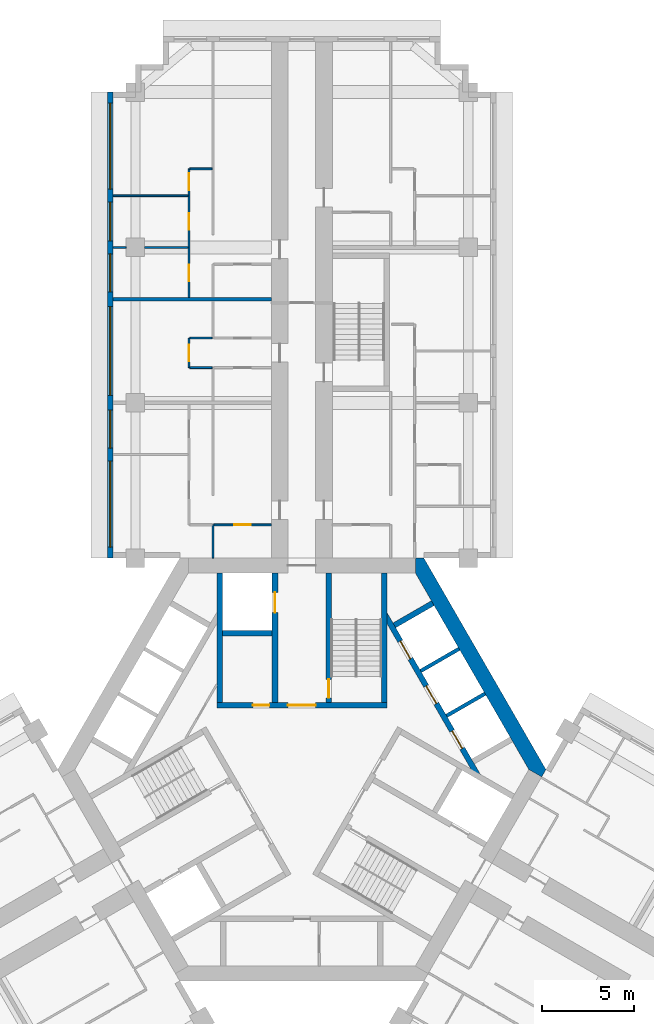
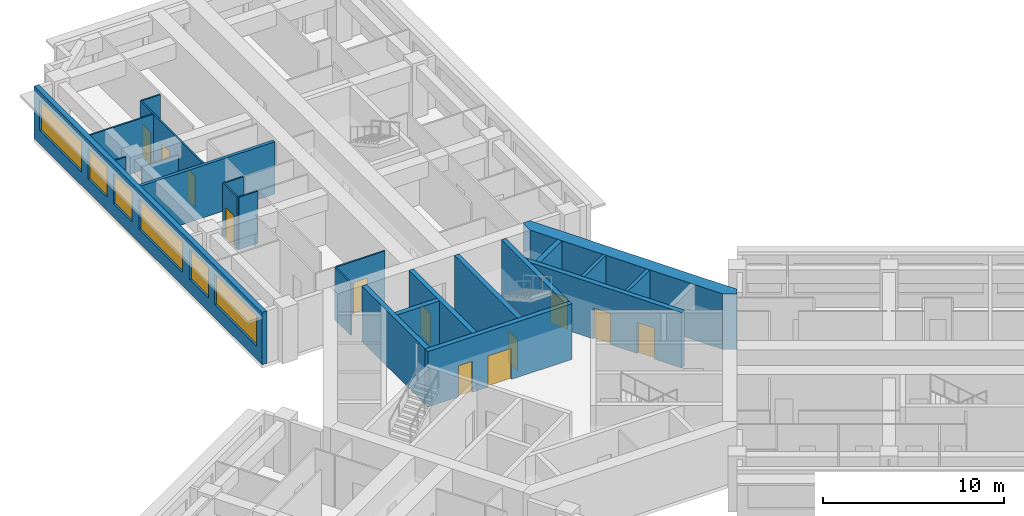
# One storey, part 8 of 14: 23 walls, 12 doors, 6 windows, 18 openings.
"""IFC4 building model written with IfcOpenShell, lengths in metres."""

from ifc_helpers import new_model, si_unit, direction, frame, frame_2d, origin, place, context, subcontext, project, spatial, polyline, rectangle, outline, extrude, material, layer, layer_set, type_object, element, fill, save


model = new_model("IFC4")

# Units and contexts
model_context = context("Model", 3, precision=1e-05, world=origin(), true_north=direction((0.0, 1.0)))
body_context = subcontext(model_context, "Body", "Model", "MODEL_VIEW")
ifc_project = project(units=[si_unit("LENGTHUNIT", "METRE"), si_unit("AREAUNIT", "SQUARE_METRE"), si_unit("VOLUMEUNIT", "CUBIC_METRE"), si_unit("PLANEANGLEUNIT", "RADIAN"), si_unit("MASSUNIT", "GRAM", prefix="KILO")], contexts=[model_context])

# Site, building, storey
site_placement = place(None, origin())
site = spatial("IfcSite", under=ifc_project, at=site_placement, CompositionType="ELEMENT")
building_placement = place(site_placement, origin())
building = spatial("IfcBuilding", under=site, at=building_placement, Name="Impinga Residences", CompositionType="ELEMENT")
storey_placement = place(building_placement, frame((0.0, 0.0, 143.5)))
storey = spatial("IfcBuildingStorey", under=building, at=storey_placement, Name="L35", CompositionType="ELEMENT", Elevation=143.5)

# Wall, openings, windows
ifc_material_1 = material(Name="Terracotta rainscreen on blockwork", Category="masonry")
ifc_layer_1 = layer(ifc_material_1, 0.300048828125)
ifc_layer_set_1 = layer_set([ifc_layer_1], Name="EW1 external wall, terracotta rainscreen on blockwork 300")
wall_type_1 = type_object("IfcWallType", Name="EW1 external wall, terracotta rainscreen on blockwork 300", PredefinedType="SOLIDWALL", material=ifc_layer_set_1)
wall_1_placement = place(storey_placement, frame((-10.35009765625, 11.431640625, 0.0), z_axis=(0.0, 0.0, 1.0), x_axis=(0.0, 1.0, 0.0)))
wall_1 = element("IfcWall", 1, at=wall_1_placement, inside=storey, type_object=wall_type_1, Name="External wall EW1 L35", PredefinedType="SOLIDWALL", context=body_context, shape_type="SweptSolid", body=[
    extrude(rectangle(XDim=25.199951171875, YDim=0.300048828125, at=frame_2d((12.60009765625, 0.0))), origin(), (0.0, 0.0, 1.0), 3.530029296875),
])
opening_1_placement = place(wall_1_placement, frame((0.60009765625, 0.0, 0.89990234375)))
opening_1 = element("IfcOpeningElement", 2, at=opening_1_placement, cuts=wall_1, Name="Opening W10", PredefinedType="OPENING", context=body_context, shape_type="SweptSolid", body=[
    extrude(rectangle(XDim=4.64990234375, YDim=2.050048828125, at=frame_2d((2.324951171875, 1.02490234375))), frame((0.0, 0.159912109375, 0.0), z_axis=(0.0, -1.0, 0.0), x_axis=(1.0, 0.0, 0.0)), (0.0, 0.0, 1.0), 0.320068359375),
])
opening_2_placement = place(wall_1_placement, frame((5.949951171875, 0.0, 0.89990234375)))
opening_2 = element("IfcOpeningElement", 3, at=opening_2_placement, cuts=wall_1, Name="Opening W14", PredefinedType="OPENING", context=body_context, shape_type="SweptSolid", body=[
    extrude(rectangle(XDim=2.050048828125, YDim=2.050048828125, at=frame_2d((1.02490234375, 1.02490234375))), frame((0.0, 0.159912109375, 0.0), z_axis=(0.0, -1.0, 0.0), x_axis=(1.0, 0.0, 0.0)), (0.0, 0.0, 1.0), 0.320068359375),
])
opening_3_placement = place(wall_1_placement, frame((8.800048828125, 0.0, 0.89990234375)))
opening_3 = element("IfcOpeningElement", 4, at=opening_3_placement, cuts=wall_1, Name="Opening W8", PredefinedType="OPENING", context=body_context, shape_type="SweptSolid", body=[
    extrude(rectangle(XDim=4.800048828125, YDim=2.050048828125, at=frame_2d((2.39990234375, 1.02490234375))), frame((0.0, 0.159912109375, 0.0), z_axis=(0.0, -1.0, 0.0), x_axis=(1.0, 0.0, 0.0)), (0.0, 0.0, 1.0), 0.320068359375),
])
opening_4_placement = place(wall_1_placement, frame((14.39990234375, 0.0, 0.89990234375)))
opening_4 = element("IfcOpeningElement", 5, at=opening_4_placement, cuts=wall_1, Name="Opening W14", PredefinedType="OPENING", context=body_context, shape_type="SweptSolid", body=[
    extrude(rectangle(XDim=2.050048828125, YDim=2.050048828125, at=frame_2d((1.02490234375, 1.02490234375))), frame((0.0, 0.159912109375, 0.0), z_axis=(0.0, -1.0, 0.0), x_axis=(1.0, 0.0, 0.0)), (0.0, 0.0, 1.0), 0.320068359375),
])
opening_5_placement = place(wall_1_placement, frame((17.14990234375, 0.0, 0.89990234375)))
opening_5 = element("IfcOpeningElement", 6, at=opening_5_placement, cuts=wall_1, Name="Opening W9", PredefinedType="OPENING", context=body_context, shape_type="SweptSolid", body=[
    extrude(rectangle(XDim=2.10009765625, YDim=2.050048828125, at=frame_2d((1.050048828125, 1.02490234375))), frame((0.0, 0.159912109375, 0.0), z_axis=(0.0, -1.0, 0.0), x_axis=(1.0, 0.0, 0.0)), (0.0, 0.0, 1.0), 0.320068359375),
])
opening_6_placement = place(wall_1_placement, frame((19.949951171875, 0.0, 0.89990234375)))
opening_6 = element("IfcOpeningElement", 7, at=opening_6_placement, cuts=wall_1, Name="Opening W10", PredefinedType="OPENING", context=body_context, shape_type="SweptSolid", body=[
    extrude(rectangle(XDim=4.64990234375, YDim=2.050048828125, at=frame_2d((2.324951171875, 1.02490234375))), frame((0.0, 0.159912109375, 0.0), z_axis=(0.0, -1.0, 0.0), x_axis=(1.0, 0.0, 0.0)), (0.0, 0.0, 1.0), 0.320068359375),
])
ifc_material_2 = material(Name="Aluminium window, clear double glazing", Category="aluminium")
window_type_1 = type_object("IfcWindowType", Name="W10 ribbon window 4650x2050", PartitioningType="SINGLE_PANEL", PredefinedType="WINDOW", material=ifc_material_2)
window_1_placement = place(opening_1_placement, origin())
window_1 = element("IfcWindow", 8, at=window_1_placement, inside=storey, type_object=window_type_1, Name="Window L35", OverallHeight=2.050048828125, OverallWidth=4.64990234375, PartitioningType="SINGLE_PANEL", PredefinedType="WINDOW", context=body_context, shape_type="SweptSolid", body=[
    extrude(rectangle(XDim=4.64990234375, YDim=2.050048828125, at=frame_2d((2.324951171875, 1.02490234375))), frame((0.0, 0.030029296875, 0.0), z_axis=(0.0, -1.0, 0.0), x_axis=(1.0, 0.0, 0.0)), (0.0, 0.0, 1.0), 0.06005859375),
])
fill(opening_1, window_1)
window_2_placement = place(opening_6_placement, origin())
window_2 = element("IfcWindow", 9, at=window_2_placement, inside=storey, type_object=window_type_1, Name="Window L35", OverallHeight=2.050048828125, OverallWidth=4.64990234375, PartitioningType="SINGLE_PANEL", PredefinedType="WINDOW", context=body_context, shape_type="SweptSolid", body=[
    extrude(rectangle(XDim=4.64990234375, YDim=2.050048828125, at=frame_2d((2.324951171875, 1.02490234375))), frame((0.0, 0.030029296875, 0.0), z_axis=(0.0, -1.0, 0.0), x_axis=(1.0, 0.0, 0.0)), (0.0, 0.0, 1.0), 0.06005859375),
])
fill(opening_6, window_2)
window_type_2 = type_object("IfcWindowType", Name="W14 ribbon window 2050x2050", PartitioningType="SINGLE_PANEL", PredefinedType="WINDOW", material=ifc_material_2)
window_3_placement = place(opening_2_placement, origin())
window_3 = element("IfcWindow", 10, at=window_3_placement, inside=storey, type_object=window_type_2, Name="Window L35", OverallHeight=2.050048828125, OverallWidth=2.050048828125, PartitioningType="SINGLE_PANEL", PredefinedType="WINDOW", context=body_context, shape_type="SweptSolid", body=[
    extrude(rectangle(XDim=2.050048828125, YDim=2.050048828125, at=frame_2d((1.02490234375, 1.02490234375))), frame((0.0, 0.030029296875, 0.0), z_axis=(0.0, -1.0, 0.0), x_axis=(1.0, 0.0, 0.0)), (0.0, 0.0, 1.0), 0.06005859375),
])
fill(opening_2, window_3)
window_4_placement = place(opening_4_placement, origin())
window_4 = element("IfcWindow", 11, at=window_4_placement, inside=storey, type_object=window_type_2, Name="Window L35", OverallHeight=2.050048828125, OverallWidth=2.050048828125, PartitioningType="SINGLE_PANEL", PredefinedType="WINDOW", context=body_context, shape_type="SweptSolid", body=[
    extrude(rectangle(XDim=2.050048828125, YDim=2.050048828125, at=frame_2d((1.02490234375, 1.02490234375))), frame((0.0, 0.030029296875, 0.0), z_axis=(0.0, -1.0, 0.0), x_axis=(1.0, 0.0, 0.0)), (0.0, 0.0, 1.0), 0.06005859375),
])
fill(opening_4, window_4)
window_type_3 = type_object("IfcWindowType", Name="W8 ribbon window 4800x2050", PartitioningType="SINGLE_PANEL", PredefinedType="WINDOW", material=ifc_material_2)
window_5_placement = place(opening_3_placement, origin())
window_5 = element("IfcWindow", 12, at=window_5_placement, inside=storey, type_object=window_type_3, Name="Window L35", OverallHeight=2.050048828125, OverallWidth=4.800048828125, PartitioningType="SINGLE_PANEL", PredefinedType="WINDOW", context=body_context, shape_type="SweptSolid", body=[
    extrude(rectangle(XDim=4.800048828125, YDim=2.050048828125, at=frame_2d((2.39990234375, 1.02490234375))), frame((0.0, 0.030029296875, 0.0), z_axis=(0.0, -1.0, 0.0), x_axis=(1.0, 0.0, 0.0)), (0.0, 0.0, 1.0), 0.06005859375),
])
fill(opening_3, window_5)
window_type_4 = type_object("IfcWindowType", Name="W9 ribbon window 2100x2050", PartitioningType="SINGLE_PANEL", PredefinedType="WINDOW", material=ifc_material_2)
window_6_placement = place(opening_5_placement, origin())
window_6 = element("IfcWindow", 13, at=window_6_placement, inside=storey, type_object=window_type_4, Name="Window L35", OverallHeight=2.050048828125, OverallWidth=2.10009765625, PartitioningType="SINGLE_PANEL", PredefinedType="WINDOW", context=body_context, shape_type="SweptSolid", body=[
    extrude(rectangle(XDim=2.10009765625, YDim=2.050048828125, at=frame_2d((1.050048828125, 1.02490234375))), frame((0.0, 0.030029296875, 0.0), z_axis=(0.0, -1.0, 0.0), x_axis=(1.0, 0.0, 0.0)), (0.0, 0.0, 1.0), 0.06005859375),
])
fill(opening_5, window_6)

# Wall
ifc_material_3 = material(Name="Gypsum board on steel studs", Category="steel")
ifc_layer_2 = layer(ifc_material_3, 0.10009765625)
ifc_layer_set_2 = layer_set([ifc_layer_2], Name="Gypsum board on steel studs")
wall_type_2 = type_object("IfcWallType", Name="IP1 partition 100", PredefinedType="PARTITIONING", material=ifc_layer_set_2)
wall_2_placement = place(storey_placement, frame((-4.800048828125, 11.431640625, 0.0), z_axis=(0.0, 0.0, 1.0), x_axis=(0.0, 1.0, 0.0)))
element("IfcWall", 14, at=wall_2_placement, inside=storey, type_object=wall_type_2, Name="Partition L35-NA1:DIV0", PredefinedType="PARTITIONING", context=body_context, shape_type="SweptSolid", body=[
    extrude(rectangle(XDim=1.7998046875, YDim=0.10009765625, at=frame_2d((0.89990234375, 0.0))), origin(), (0.0, 0.0, 1.0), 3.530029296875),
])

# Wall, opening, door
wall_3_placement = place(storey_placement, frame((-1.64990234375, 13.2314453125, 0.0), z_axis=(0.0, 0.0, 1.0), x_axis=(-1.0, 0.0, 0.0)))
wall_3 = element("IfcWall", 15, at=wall_3_placement, inside=storey, type_object=wall_type_2, Name="Partition L35-NA1:IB1", PredefinedType="PARTITIONING", context=body_context, shape_type="SweptSolid", body=[
    extrude(rectangle(XDim=3.10009765625, YDim=0.10009765625, at=frame_2d((1.550048828125, 0.0))), origin(), (0.0, 0.0, 1.0), 3.530029296875),
])
opening_7_placement = place(wall_3_placement, frame((1.10009765625, 0.0, 0.0)))
opening_7 = element("IfcOpeningElement", 16, at=opening_7_placement, cuts=wall_3, Name="Opening D2", PredefinedType="OPENING", context=body_context, shape_type="SweptSolid", body=[
    extrude(rectangle(XDim=0.89990234375, YDim=2.10009765625, at=frame_2d((0.449951171875, 1.050048828125))), frame((0.0, 0.06005859375, 0.0), z_axis=(0.0, -1.0, 0.0), x_axis=(1.0, 0.0, 0.0)), (0.0, 0.0, 1.0), 0.1201171875),
])
ifc_material_4 = material(Name="Timber door set", Category="wood")
door_type_1 = type_object("IfcDoorType", Name="D2 internal door 900x2100", OperationType="SINGLE_SWING_LEFT", PredefinedType="DOOR", material=ifc_material_4)
door_1_placement = place(opening_7_placement, origin())
door_1 = element("IfcDoor", 17, at=door_1_placement, inside=storey, type_object=door_type_1, Name="Apartment L35-NA1 bathroom door", OperationType="SINGLE_SWING_LEFT", OverallHeight=2.10009765625, OverallWidth=0.89990234375, PredefinedType="DOOR", context=body_context, shape_type="SweptSolid", body=[
    extrude(rectangle(XDim=0.89990234375, YDim=2.10009765625, at=frame_2d((0.449951171875, 1.050048828125))), frame((0.0, 0.02490234375, 0.0), z_axis=(0.0, -1.0, 0.0), x_axis=(1.0, 0.0, 0.0)), (0.0, 0.0, 1.0), 0.050048828125),
])
fill(opening_7, door_1)

wall_4_placement = place(storey_placement, frame((-6.10009765625, 21.7314453125, 0.0), z_axis=(0.0, 0.0, 1.0), x_axis=(0.0, 1.0, 0.0)))
wall_4 = element("IfcWall", 18, at=wall_4_placement, inside=storey, type_object=wall_type_2, Name="Partition L35-NA2:STRIP", PredefinedType="PARTITIONING", context=body_context, shape_type="SweptSolid", body=[
    extrude(rectangle(XDim=1.60009765625, YDim=0.10009765625, at=frame_2d((0.800048828125, 0.0))), origin(), (0.0, 0.0, 1.0), 3.530029296875),
])
opening_8_placement = place(wall_4_placement, frame((0.35009765625, 0.0, 0.0)))
opening_8 = element("IfcOpeningElement", 19, at=opening_8_placement, cuts=wall_4, Name="Opening D2", PredefinedType="OPENING", context=body_context, shape_type="SweptSolid", body=[
    extrude(rectangle(XDim=0.89990234375, YDim=2.10009765625, at=frame_2d((0.449951171875, 1.050048828125))), frame((0.0, 0.06005859375, 0.0), z_axis=(0.0, -1.0, 0.0), x_axis=(1.0, 0.0, 0.0)), (0.0, 0.0, 1.0), 0.1201171875),
])
door_2_placement = place(opening_8_placement, origin())
door_2 = element("IfcDoor", 20, at=door_2_placement, inside=storey, type_object=door_type_1, Name="Apartment L35-NA2 room door", OperationType="SINGLE_SWING_LEFT", OverallHeight=2.10009765625, OverallWidth=0.89990234375, PredefinedType="DOOR", context=body_context, shape_type="SweptSolid", body=[
    extrude(rectangle(XDim=0.89990234375, YDim=2.10009765625, at=frame_2d((0.449951171875, 1.050048828125))), frame((0.0, 0.02490234375, 0.0), z_axis=(0.0, -1.0, 0.0), x_axis=(1.0, 0.0, 0.0)), (0.0, 0.0, 1.0), 0.050048828125),
])
fill(opening_8, door_2)

# Walls
for number, where, z_axis, x_axis, name in (
    (21, (-4.85009765625, 21.7314453125, 0.0), (0.0, 0.0, 1.0), (-1.0, 0.0, 0.0), "Partition L35-NA2:SE0"),
    (22, (-4.85009765625, 23.33154296875, 0.0), (0.0, 0.0, 1.0), (-1.0, 0.0, 0.0), "Partition L35-NA2:SE1"),
):
    element("IfcWall", number, at=place(storey_placement, frame(where, z_axis=z_axis, x_axis=x_axis)), inside=storey, type_object=wall_type_2, Name=name, PredefinedType="PARTITIONING", context=body_context, shape_type="SweptSolid", body=[
        extrude(rectangle(XDim=1.199951171875, YDim=0.10009765625, at=frame_2d((0.60009765625, 0.0))), origin(), (0.0, 0.0, 1.0), 3.530029296875),
    ])

# Wall, openings, doors
wall_5_placement = place(storey_placement, frame((-6.10009765625, 25.531494140625, 0.0), z_axis=(0.0, 0.0, 1.0), x_axis=(0.0, 1.0, 0.0)))
wall_5 = element("IfcWall", 23, at=wall_5_placement, inside=storey, type_object=wall_type_2, Name="Partition L35-NA3:STRIP", PredefinedType="PARTITIONING", context=body_context, shape_type="SweptSolid", body=[
    extrude(rectangle(XDim=6.949951171875, YDim=0.10009765625, at=frame_2d((3.47509765625, 0.0))), origin(), (0.0, 0.0, 1.0), 3.530029296875),
])
opening_9_placement = place(wall_5_placement, frame((0.875, 0.0, 0.0)))
opening_9 = element("IfcOpeningElement", 24, at=opening_9_placement, cuts=wall_5, Name="Opening D2", PredefinedType="OPENING", context=body_context, shape_type="SweptSolid", body=[
    extrude(rectangle(XDim=0.89990234375, YDim=2.10009765625, at=frame_2d((0.449951171875, 1.050048828125))), frame((0.0, 0.06005859375, 0.0), z_axis=(0.0, -1.0, 0.0), x_axis=(1.0, 0.0, 0.0)), (0.0, 0.0, 1.0), 0.1201171875),
])
opening_10_placement = place(wall_5_placement, frame((3.64990234375, 0.0, 0.0)))
opening_10 = element("IfcOpeningElement", 25, at=opening_10_placement, cuts=wall_5, Name="Opening D2", PredefinedType="OPENING", context=body_context, shape_type="SweptSolid", body=[
    extrude(rectangle(XDim=0.89990234375, YDim=2.10009765625, at=frame_2d((0.449951171875, 1.050048828125))), frame((0.0, 0.06005859375, 0.0), z_axis=(0.0, -1.0, 0.0), x_axis=(1.0, 0.0, 0.0)), (0.0, 0.0, 1.0), 0.1201171875),
])
opening_11_placement = place(wall_5_placement, frame((5.800048828125, 0.0, 0.0)))
opening_11 = element("IfcOpeningElement", 26, at=opening_11_placement, cuts=wall_5, Name="Opening D2", PredefinedType="OPENING", context=body_context, shape_type="SweptSolid", body=[
    extrude(rectangle(XDim=0.89990234375, YDim=2.10009765625, at=frame_2d((0.449951171875, 1.050048828125))), frame((0.0, 0.06005859375, 0.0), z_axis=(0.0, -1.0, 0.0), x_axis=(1.0, 0.0, 0.0)), (0.0, 0.0, 1.0), 0.1201171875),
])
door_3_placement = place(opening_9_placement, origin())
door_3 = element("IfcDoor", 27, at=door_3_placement, inside=storey, type_object=door_type_1, Name="Apartment L35-NA3 room door", OperationType="SINGLE_SWING_LEFT", OverallHeight=2.10009765625, OverallWidth=0.89990234375, PredefinedType="DOOR", context=body_context, shape_type="SweptSolid", body=[
    extrude(rectangle(XDim=0.89990234375, YDim=2.10009765625, at=frame_2d((0.449951171875, 1.050048828125))), frame((0.0, 0.02490234375, 0.0), z_axis=(0.0, -1.0, 0.0), x_axis=(1.0, 0.0, 0.0)), (0.0, 0.0, 1.0), 0.050048828125),
])
fill(opening_9, door_3)
door_4_placement = place(opening_10_placement, origin())
door_4 = element("IfcDoor", 28, at=door_4_placement, inside=storey, type_object=door_type_1, Name="Apartment L35-NA3 room door", OperationType="SINGLE_SWING_RIGHT", OverallHeight=2.10009765625, OverallWidth=0.89990234375, PredefinedType="DOOR", context=body_context, shape_type="SweptSolid", body=[
    extrude(rectangle(XDim=0.89990234375, YDim=2.10009765625, at=frame_2d((0.449951171875, 1.050048828125))), frame((0.0, 0.02490234375, 0.0), z_axis=(0.0, -1.0, 0.0), x_axis=(1.0, 0.0, 0.0)), (0.0, 0.0, 1.0), 0.050048828125),
])
fill(opening_10, door_4)
door_5_placement = place(opening_11_placement, origin())
door_5 = element("IfcDoor", 29, at=door_5_placement, inside=storey, type_object=door_type_1, Name="Apartment L35-NA3 room door", OperationType="SINGLE_SWING_RIGHT", OverallHeight=2.10009765625, OverallWidth=0.89990234375, PredefinedType="DOOR", context=body_context, shape_type="SweptSolid", body=[
    extrude(rectangle(XDim=0.89990234375, YDim=2.10009765625, at=frame_2d((0.449951171875, 1.050048828125))), frame((0.0, 0.02490234375, 0.0), z_axis=(0.0, -1.0, 0.0), x_axis=(1.0, 0.0, 0.0)), (0.0, 0.0, 1.0), 0.050048828125),
])
fill(opening_11, door_5)

# Walls
wall_6_placement = place(storey_placement, frame((-4.85009765625, 32.4814453125, 0.0), z_axis=(0.0, 0.0, 1.0), x_axis=(-1.0, 0.0, 0.0)))
element("IfcWall", 30, at=wall_6_placement, inside=storey, type_object=wall_type_2, Name="Partition L35-NA3:SE1", PredefinedType="PARTITIONING", context=body_context, shape_type="SweptSolid", body=[
    extrude(rectangle(XDim=1.199951171875, YDim=0.10009765625, at=frame_2d((0.60009765625, 0.0))), origin(), (0.0, 0.0, 1.0), 3.530029296875),
])
wall_7_placement = place(storey_placement, frame((-6.14990234375, 28.2314453125, 0.0), z_axis=(0.0, 0.0, 1.0), x_axis=(-1.0, 0.0, 0.0)))
element("IfcWall", 31, at=wall_7_placement, inside=storey, type_object=wall_type_2, Name="Partition L35-NA3:OB1", PredefinedType="PARTITIONING", context=body_context, shape_type="SweptSolid", body=[
    extrude(rectangle(XDim=2.35009765625, YDim=0.10009765625, at=frame_2d((1.175048828125, 0.0))), origin(), (0.0, 0.0, 1.0), 2.47998046875),
])
wall_8_placement = place(storey_placement, frame((-9.5, 28.2314453125, 0.0), z_axis=(0.0, 0.0, 1.0), x_axis=(-1.0, 0.0, 0.0)))
element("IfcWall", 32, at=wall_8_placement, inside=storey, type_object=wall_type_2, Name="Partition L35-NA3:OB1b", PredefinedType="PARTITIONING", context=body_context, shape_type="SweptSolid", body=[
    extrude(rectangle(XDim=0.699951171875, YDim=0.10009765625, at=frame_2d((0.35009765625, 0.0))), origin(), (0.0, 0.0, 1.0), 3.530029296875),
])
wall_9_placement = place(storey_placement, frame((-6.14990234375, 31.031494140625, 0.0), z_axis=(0.0, 0.0, 1.0), x_axis=(-1.0, 0.0, 0.0)))
element("IfcWall", 33, at=wall_9_placement, inside=storey, type_object=wall_type_2, Name="Partition L35-NA3:OB2", PredefinedType="PARTITIONING", context=body_context, shape_type="SweptSolid", body=[
    extrude(rectangle(XDim=4.050048828125, YDim=0.10009765625, at=frame_2d((2.02490234375, 0.0))), origin(), (0.0, 0.0, 1.0), 3.530029296875),
])
ifc_material_5 = material(Name="Concrete blockwork", Category="masonry")
ifc_layer_3 = layer(ifc_material_5, 0.199951171875)
ifc_layer_set_3 = layer_set([ifc_layer_3], Name="PW1 party wall between apartments 200")
wall_type_3 = type_object("IfcWallType", Name="PW1 party wall between apartments 200", PredefinedType="SOLIDWALL", material=ifc_layer_set_3)
wall_10_placement = place(storey_placement, frame((-1.64990234375, 25.431640625, 0.0), z_axis=(0.0, 0.0, 1.0), x_axis=(-1.0, 0.0, 0.0)))
element("IfcWall", 34, at=wall_10_placement, inside=storey, type_object=wall_type_3, Name="Party wall between apartments L35-NA2:PARTY", PredefinedType="SOLIDWALL", context=body_context, shape_type="SweptSolid", body=[
    extrude(rectangle(XDim=8.550048828125, YDim=0.199951171875, at=frame_2d((4.27490234375, 0.0))), origin(), (0.0, 0.0, 1.0), 3.530029296875),
])
ifc_material_6 = material(Name="Concrete C60/75", Category="concrete")
ifc_layer_4 = layer(ifc_material_6, 0.800048828125)
ifc_layer_set_4 = layer_set([ifc_layer_4], Name="Concrete C60/75")
wall_type_4 = type_object("IfcWallType", Name="SW2 core wall 800", PredefinedType="SHEAR", material=ifc_layer_set_4)
wall_11_placement = place(storey_placement, origin())
element("IfcWall", 35, at=wall_11_placement, inside=storey, type_object=wall_type_4, Name="Core wall SW2 W:EXPOSED L35", PredefinedType="SHEAR", context=body_context, shape_type="SweptSolid", body=[
    extrude(outline(polyline([(13.199951171875, 0.0), (6.60009765625, 11.431640625), (6.13818359375, 11.431640625), (6.13818359375, 10.631591796875), (12.276123046875, 0.0), (12.968994140625, -0.39990234375), (13.199951171875, 0.0)])), origin(), (0.0, 0.0, 1.0), 3.75),
])

# Wall, openings, doors
ifc_material_7 = material(Name="Concrete C70/85", Category="concrete")
ifc_layer_5 = layer(ifc_material_7, 0.300048828125)
ifc_layer_set_5 = layer_set([ifc_layer_5], Name="Concrete C70/85")
wall_type_5 = type_object("IfcWallType", Name="SW5 core inner wall, stairs, shafts and lobbies 300", PredefinedType="SHEAR", material=ifc_layer_set_5)
wall_12_placement = place(storey_placement, frame((-4.60009765625, 3.47998046875, 0.0), z_axis=(0.0, 0.0, 1.0), x_axis=(1.0, 0.0, 0.0)))
wall_12 = element("IfcWall", 36, at=wall_12_placement, inside=storey, type_object=wall_type_5, Name="Core wall SW5 N:ZONE L35", PredefinedType="SHEAR", context=body_context, shape_type="SweptSolid", body=[
    extrude(rectangle(XDim=9.2001953125, YDim=0.300048828125, at=frame_2d((4.60009765625, 0.0))), origin(), (0.0, 0.0, 1.0), 3.75),
])
opening_12_placement = place(wall_12_placement, frame((3.85009765625, 0.0, 0.0)))
opening_12 = element("IfcOpeningElement", 37, at=opening_12_placement, cuts=wall_12, Name="Opening D4", PredefinedType="OPENING", context=body_context, shape_type="SweptSolid", body=[
    extrude(rectangle(XDim=1.5, YDim=2.10009765625, at=frame_2d((0.75, 1.050048828125))), frame((0.0, 0.159912109375, 0.0), z_axis=(0.0, -1.0, 0.0), x_axis=(1.0, 0.0, 0.0)), (0.0, 0.0, 1.0), 0.320068359375),
])
opening_13_placement = place(wall_12_placement, frame((1.949951171875, 0.0, 0.0)))
opening_13 = element("IfcOpeningElement", 38, at=opening_13_placement, cuts=wall_12, Name="Opening D6", PredefinedType="OPENING", context=body_context, shape_type="SweptSolid", body=[
    extrude(rectangle(XDim=0.89990234375, YDim=2.10009765625, at=frame_2d((0.449951171875, 1.050048828125))), frame((0.0, 0.159912109375, 0.0), z_axis=(0.0, -1.0, 0.0), x_axis=(1.0, 0.0, 0.0)), (0.0, 0.0, 1.0), 0.320068359375),
])
door_type_2 = type_object("IfcDoorType", Name="D4 lobby door pair 1500x2100", OperationType="DOUBLE_DOOR_DOUBLE_SWING", PredefinedType="DOOR", material=ifc_material_4)
door_6_placement = place(opening_12_placement, origin())
door_6 = element("IfcDoor", 39, at=door_6_placement, inside=storey, type_object=door_type_2, Name="Firefighting lobby door N", OperationType="DOUBLE_DOOR_DOUBLE_SWING", OverallHeight=2.10009765625, OverallWidth=1.5, PredefinedType="DOOR", context=body_context, shape_type="SweptSolid", body=[
    extrude(rectangle(XDim=1.5, YDim=2.10009765625, at=frame_2d((0.75, 1.050048828125))), frame((0.0, 0.02490234375, 0.0), z_axis=(0.0, -1.0, 0.0), x_axis=(1.0, 0.0, 0.0)), (0.0, 0.0, 1.0), 0.050048828125),
])
fill(opening_12, door_6)
door_type_3 = type_object("IfcDoorType", Name="D6 riser and store door 900x2100", OperationType="SINGLE_SWING_LEFT", PredefinedType="DOOR", material=ifc_material_4)
door_7_placement = place(opening_13_placement, origin())
door_7 = element("IfcDoor", 40, at=door_7_placement, inside=storey, type_object=door_type_3, Name="Riser door N", OperationType="SINGLE_SWING_LEFT", OverallHeight=2.10009765625, OverallWidth=0.89990234375, PredefinedType="DOOR", context=body_context, shape_type="SweptSolid", body=[
    extrude(rectangle(XDim=0.89990234375, YDim=2.10009765625, at=frame_2d((0.449951171875, 1.050048828125))), frame((0.0, 0.02490234375, 0.0), z_axis=(0.0, -1.0, 0.0), x_axis=(1.0, 0.0, 0.0)), (0.0, 0.0, 1.0), 0.050048828125),
])
fill(opening_13, door_7)

# Wall, opening, door
wall_13_placement = place(storey_placement, frame((1.449951171875, 3.6298828125, 0.0), z_axis=(0.0, 0.0, 1.0), x_axis=(0.0, 1.0, 0.0)))
wall_13 = element("IfcWall", 41, at=wall_13_placement, inside=storey, type_object=wall_type_5, Name="Core wall SW5 N:ST-IN L35", PredefinedType="SHEAR", context=body_context, shape_type="SweptSolid", body=[
    extrude(rectangle(XDim=7.001708984375, YDim=0.300048828125, at=frame_2d((3.5009765625, 0.0))), origin(), (0.0, 0.0, 1.0), 3.75),
])
opening_14_placement = place(wall_13_placement, frame((0.25, 0.0, 0.0)))
opening_14 = element("IfcOpeningElement", 42, at=opening_14_placement, cuts=wall_13, Name="Opening D5", PredefinedType="OPENING", context=body_context, shape_type="SweptSolid", body=[
    extrude(rectangle(XDim=1.0, YDim=2.10009765625, at=frame_2d((0.5, 1.050048828125))), frame((0.0, 0.159912109375, 0.0), z_axis=(0.0, -1.0, 0.0), x_axis=(1.0, 0.0, 0.0)), (0.0, 0.0, 1.0), 0.320068359375),
])
door_type_4 = type_object("IfcDoorType", Name="D5 stair door 1000x2100", OperationType="SINGLE_SWING_LEFT", PredefinedType="DOOR", material=ifc_material_4)
door_8_placement = place(opening_14_placement, origin())
door_8 = element("IfcDoor", 43, at=door_8_placement, inside=storey, type_object=door_type_4, Name="Stair door N", OperationType="SINGLE_SWING_LEFT", OverallHeight=2.10009765625, OverallWidth=1.0, PredefinedType="DOOR", context=body_context, shape_type="SweptSolid", body=[
    extrude(rectangle(XDim=1.0, YDim=2.10009765625, at=frame_2d((0.5, 1.050048828125))), frame((0.0, 0.02490234375, 0.0), z_axis=(0.0, -1.0, 0.0), x_axis=(1.0, 0.0, 0.0)), (0.0, 0.0, 1.0), 0.050048828125),
])
fill(opening_14, door_8)

# Wall
wall_14_placement = place(storey_placement, frame((4.449951171875, 3.6298828125, 0.0), z_axis=(0.0, 0.0, 1.0), x_axis=(0.0, 1.0, 0.0)))
element("IfcWall", 44, at=wall_14_placement, inside=storey, type_object=wall_type_5, Name="Core wall SW5 N:ST-OUT L35", PredefinedType="SHEAR", context=body_context, shape_type="SweptSolid", body=[
    extrude(rectangle(XDim=7.001708984375, YDim=0.300048828125, at=frame_2d((3.5009765625, 0.0))), origin(), (0.0, 0.0, 1.0), 3.75),
])

# Wall, opening, door
wall_15_placement = place(storey_placement, frame((-1.449951171875, 3.6298828125, 0.0), z_axis=(0.0, 0.0, 1.0), x_axis=(0.0, 1.0, 0.0)))
wall_15 = element("IfcWall", 45, at=wall_15_placement, inside=storey, type_object=wall_type_5, Name="Core wall SW5 N:FF-IN L35", PredefinedType="SHEAR", context=body_context, shape_type="SweptSolid", body=[
    extrude(rectangle(XDim=7.001708984375, YDim=0.300048828125, at=frame_2d((3.5009765625, 0.0))), origin(), (0.0, 0.0, 1.0), 3.75),
])
opening_15_placement = place(wall_15_placement, frame((4.85009765625, 0.0, 0.0)))
opening_15 = element("IfcOpeningElement", 46, at=opening_15_placement, cuts=wall_15, Name="Opening LD2", PredefinedType="OPENING", context=body_context, shape_type="SweptSolid", body=[
    extrude(rectangle(XDim=1.10009765625, YDim=2.10009765625, at=frame_2d((0.550048828125, 1.050048828125))), frame((0.0, 0.159912109375, 0.0), z_axis=(0.0, -1.0, 0.0), x_axis=(1.0, 0.0, 0.0)), (0.0, 0.0, 1.0), 0.320068359375),
])
ifc_material_8 = material(Name="Steel lift landing door", Category="steel")
door_type_5 = type_object("IfcDoorType", Name="LD2 firefighting lift landing door 1100x2100", OperationType="DOUBLE_DOOR_SLIDING", PredefinedType="DOOR", material=ifc_material_8)
door_9_placement = place(opening_15_placement, origin())
door_9 = element("IfcDoor", 47, at=door_9_placement, inside=storey, type_object=door_type_5, Name="Firefighting lift landing door F1", OperationType="DOUBLE_DOOR_SLIDING", OverallHeight=2.10009765625, OverallWidth=1.10009765625, PredefinedType="DOOR", context=body_context, shape_type="SweptSolid", body=[
    extrude(rectangle(XDim=1.10009765625, YDim=2.10009765625, at=frame_2d((0.550048828125, 1.050048828125))), frame((0.0, 0.02490234375, 0.0), z_axis=(0.0, -1.0, 0.0), x_axis=(1.0, 0.0, 0.0)), (0.0, 0.0, 1.0), 0.050048828125),
])
fill(opening_15, door_9)

# Walls
wall_16_placement = place(storey_placement, frame((-4.449951171875, 3.6298828125, 0.0), z_axis=(0.0, 0.0, 1.0), x_axis=(0.0, 1.0, 0.0)))
element("IfcWall", 48, at=wall_16_placement, inside=storey, type_object=wall_type_5, Name="Core wall SW5 N:FF-OUT L35", PredefinedType="SHEAR", context=body_context, shape_type="SweptSolid", body=[
    extrude(rectangle(XDim=7.001708984375, YDim=0.300048828125, at=frame_2d((3.5009765625, 0.0))), origin(), (0.0, 0.0, 1.0), 3.75),
])
wall_17_placement = place(storey_placement, frame((-4.300048828125, 7.3798828125, 0.0), z_axis=(0.0, 0.0, 1.0), x_axis=(1.0, 0.0, 0.0)))
element("IfcWall", 49, at=wall_17_placement, inside=storey, type_object=wall_type_5, Name="Core wall SW5 N:FF-RS L35", PredefinedType="SHEAR", context=body_context, shape_type="SweptSolid", body=[
    extrude(rectangle(XDim=2.699951171875, YDim=0.300048828125, at=frame_2d((1.35009765625, 0.0))), origin(), (0.0, 0.0, 1.0), 3.75),
])

# Wall, openings, doors
wall_18_placement = place(storey_placement, frame((4.449951171875, 8.455322265625, 0.0), z_axis=(0.0, 0.0, 1.0), x_axis=(0.500002290144, -0.866024081565, 0.0)))
wall_18 = element("IfcWall", 50, at=wall_18_placement, inside=storey, type_object=wall_type_5, Name="Core wall SW5 W:BANK-FRONT L35", PredefinedType="SHEAR", context=body_context, shape_type="SweptSolid", body=[
    extrude(rectangle(XDim=10.1953125, YDim=0.300048828125, at=frame_2d((5.09765625, 0.0))), origin(), (0.0, 0.0, 1.0), 3.75),
])
opening_16_placement = place(wall_18_placement, frame((1.74755859375, 0.0, 0.0)))
opening_16 = element("IfcOpeningElement", 51, at=opening_16_placement, cuts=wall_18, Name="Opening LD1", PredefinedType="OPENING", context=body_context, shape_type="SweptSolid", body=[
    extrude(rectangle(XDim=1.10009765625, YDim=2.10009765625, at=frame_2d((0.550048828125, 1.050048828125))), frame((0.0, 0.159912109375, 0.0), z_axis=(0.0, -1.0, 0.0), x_axis=(1.0, 0.0, 0.0)), (0.0, 0.0, 1.0), 0.320068359375),
])
opening_17_placement = place(wall_18_placement, frame((4.547607421875, 0.0, 0.0)))
opening_17 = element("IfcOpeningElement", 52, at=opening_17_placement, cuts=wall_18, Name="Opening LD1", PredefinedType="OPENING", context=body_context, shape_type="SweptSolid", body=[
    extrude(rectangle(XDim=1.10009765625, YDim=2.10009765625, at=frame_2d((0.550048828125, 1.050048828125))), frame((0.0, 0.159912109375, 0.0), z_axis=(0.0, -1.0, 0.0), x_axis=(1.0, 0.0, 0.0)), (0.0, 0.0, 1.0), 0.320068359375),
])
opening_18_placement = place(wall_18_placement, frame((7.34765625, 0.0, 0.0)))
opening_18 = element("IfcOpeningElement", 53, at=opening_18_placement, cuts=wall_18, Name="Opening LD1", PredefinedType="OPENING", context=body_context, shape_type="SweptSolid", body=[
    extrude(rectangle(XDim=1.10009765625, YDim=2.10009765625, at=frame_2d((0.550048828125, 1.050048828125))), frame((0.0, 0.159912109375, 0.0), z_axis=(0.0, -1.0, 0.0), x_axis=(1.0, 0.0, 0.0)), (0.0, 0.0, 1.0), 0.320068359375),
])
door_type_6 = type_object("IfcDoorType", Name="LD1 passenger lift landing door 1100x2100", OperationType="DOUBLE_DOOR_SLIDING", PredefinedType="DOOR", material=ifc_material_8)
door_10_placement = place(opening_16_placement, origin())
door_10 = element("IfcDoor", 54, at=door_10_placement, inside=storey, type_object=door_type_6, Name="Lift landing door P4", OperationType="DOUBLE_DOOR_SLIDING", OverallHeight=2.10009765625, OverallWidth=1.10009765625, PredefinedType="DOOR", context=body_context, shape_type="SweptSolid", body=[
    extrude(rectangle(XDim=1.10009765625, YDim=2.10009765625, at=frame_2d((0.550048828125, 1.050048828125))), frame((0.0, 0.02490234375, 0.0), z_axis=(0.0, -1.0, 0.0), x_axis=(1.0, 0.0, 0.0)), (0.0, 0.0, 1.0), 0.050048828125),
])
fill(opening_16, door_10)
door_11_placement = place(opening_17_placement, origin())
door_11 = element("IfcDoor", 55, at=door_11_placement, inside=storey, type_object=door_type_6, Name="Lift landing door P5", OperationType="DOUBLE_DOOR_SLIDING", OverallHeight=2.10009765625, OverallWidth=1.10009765625, PredefinedType="DOOR", context=body_context, shape_type="SweptSolid", body=[
    extrude(rectangle(XDim=1.10009765625, YDim=2.10009765625, at=frame_2d((0.550048828125, 1.050048828125))), frame((0.0, 0.02490234375, 0.0), z_axis=(0.0, -1.0, 0.0), x_axis=(1.0, 0.0, 0.0)), (0.0, 0.0, 1.0), 0.050048828125),
])
fill(opening_17, door_11)
door_12_placement = place(opening_18_placement, origin())
door_12 = element("IfcDoor", 56, at=door_12_placement, inside=storey, type_object=door_type_6, Name="Lift landing door P6", OperationType="DOUBLE_DOOR_SLIDING", OverallHeight=2.10009765625, OverallWidth=1.10009765625, PredefinedType="DOOR", context=body_context, shape_type="SweptSolid", body=[
    extrude(rectangle(XDim=1.10009765625, YDim=2.10009765625, at=frame_2d((0.550048828125, 1.050048828125))), frame((0.0, 0.02490234375, 0.0), z_axis=(0.0, -1.0, 0.0), x_axis=(1.0, 0.0, 0.0)), (0.0, 0.0, 1.0), 0.050048828125),
])
fill(opening_18, door_12)

# Walls
wall_19_placement = place(storey_placement, frame((5.003662109375, 7.79638671875, 0.0), z_axis=(0.0, 0.0, 1.0), x_axis=(0.866050077142, 0.499957262057, 0.0)))
element("IfcWall", 57, at=wall_19_placement, inside=storey, type_object=wall_type_5, Name="Core wall SW5 W:BANK-L L35", PredefinedType="SHEAR", context=body_context, shape_type="SweptSolid", body=[
    extrude(rectangle(XDim=2.400146484375, YDim=0.300048828125, at=frame_2d((1.2001953125, 0.0))), origin(), (0.0, 0.0, 1.0), 3.75),
])
ifc_layer_6 = layer(ifc_material_7, 0.199951171875)
ifc_layer_set_6 = layer_set([ifc_layer_6], Name="Concrete C70/85")
wall_type_6 = type_object("IfcWallType", Name="SW6 lift shaft divider wall 200", PredefinedType="SHEAR", material=ifc_layer_set_6)
wall_20_placement = place(storey_placement, frame((6.4287109375, 5.328125, 0.0), z_axis=(0.0, 0.0, 1.0), x_axis=(0.865980596518, 0.500077600433, 0.0)))
element("IfcWall", 58, at=wall_20_placement, inside=storey, type_object=wall_type_6, Name="Core wall SW6 W:BANK-D1 L35", PredefinedType="SHEAR", context=body_context, shape_type="SweptSolid", body=[
    extrude(rectangle(XDim=2.39990234375, YDim=0.199951171875, at=frame_2d((1.199951171875, 0.0))), origin(), (0.0, 0.0, 1.0), 3.75),
])
wall_21_placement = place(storey_placement, frame((7.82861328125, 2.9033203125, 0.0), z_axis=(0.0, 0.0, 1.0), x_axis=(0.866050077142, 0.499957262057, 0.0)))
element("IfcWall", 59, at=wall_21_placement, inside=storey, type_object=wall_type_6, Name="Core wall SW6 W:BANK-D2 L35", PredefinedType="SHEAR", context=body_context, shape_type="SweptSolid", body=[
    extrude(rectangle(XDim=2.400146484375, YDim=0.199951171875, at=frame_2d((1.2001953125, 0.0))), origin(), (0.0, 0.0, 1.0), 3.75),
])

save(model, "model.ifc")
